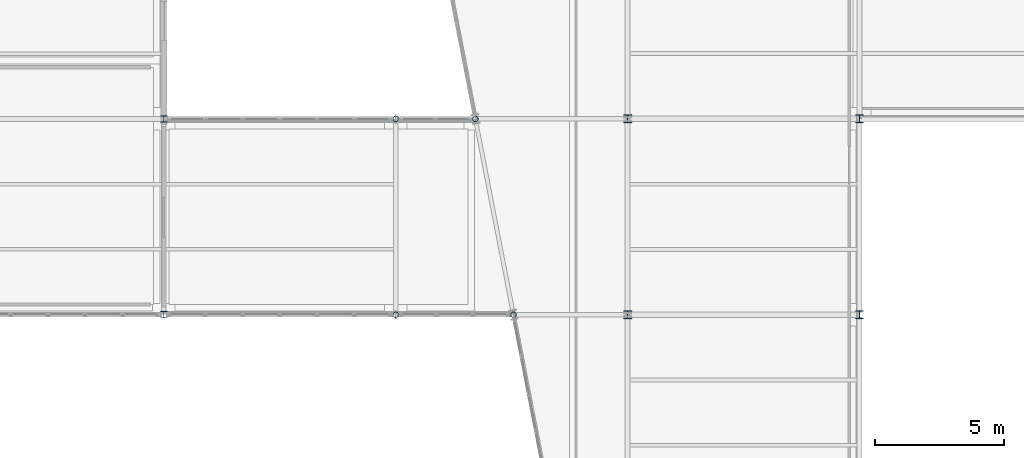
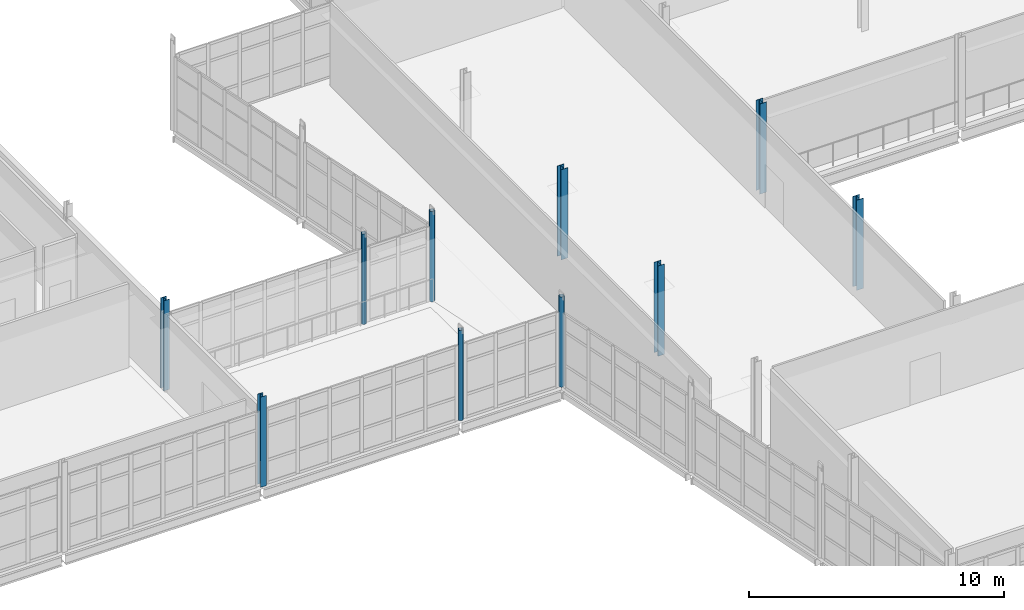
# One storey, part 15 of 166: 10 columns.
"""IFC4 building model written with IfcOpenShell, lengths in metres."""

from ifc_helpers import new_model, si_unit, direction, frame, origin, origin_2d, place, context, subcontext, project, spatial, hollow_circle, i_section, extrude, material, material_profile, profile_set, type_object, element, save


model = new_model("IFC4")

# Units and contexts
model_context = context("Model", 3, precision=1e-05, world=origin(), true_north=direction((0.0, 1.0)))
body_context = subcontext(model_context, "Body", "Model", "MODEL_VIEW")
ifc_project = project(units=[si_unit("LENGTHUNIT", "METRE"), si_unit("AREAUNIT", "SQUARE_METRE"), si_unit("VOLUMEUNIT", "CUBIC_METRE"), si_unit("PLANEANGLEUNIT", "RADIAN"), si_unit("MASSUNIT", "GRAM", prefix="KILO")], contexts=[model_context])

# Site, building, storey
site_placement = place(None, origin())
site = spatial("IfcSite", under=ifc_project, at=site_placement, CompositionType="ELEMENT")
building_placement = place(site_placement, origin())
building = spatial("IfcBuilding", under=site, at=building_placement, Name="Caisbarro Railhouse Central Library", CompositionType="ELEMENT")
storey_placement = place(building_placement, frame((0.0, 0.0, 9.360107421875)))
storey = spatial("IfcBuildingStorey", under=building, at=storey_placement, Name="L02", CompositionType="ELEMENT", Elevation=9.360107421875)

# Columns
ifc_material = material(Name="Steel ASTM A572 Grade 50", Category="steel")
ifc_material_profile_1 = material_profile(ifc_material, i_section(OverallWidth=0.305908203125, OverallDepth=0.31103515625, WebThickness=0.010986328125, FlangeThickness=0.01708984375, FilletRadius=0.014892578125, at=origin_2d()), Name="W310X107.0")
ifc_profile_set_1 = profile_set([ifc_material_profile_1], Name="Steel ASTM A572 Grade 50")
column_type_1 = type_object("IfcColumnType", Name="COL-C06", PredefinedType="COLUMN", material=ifc_profile_set_1)
for number, where, z_axis, x_axis, name in (
    (1, (117.0, 83.60009765625, 0.0), (0.0, 0.0, 1.0), (1.0, 0.0, 0.0), "C06 column L02 (117.0,83.6)"),
    (2, (117.0, 91.199951171875, 0.0), (0.0, 0.0, 1.0), (1.0, 0.0, 0.0), "C06 column L02 (117.0,91.2)"),
    (3, (126.0, 83.60009765625, 0.0), (0.0, 0.0, 1.0), (1.0, 0.0, 0.0), "C06 column L02 (126.0,83.6)"),
    (4, (126.0, 91.199951171875, 0.0), (0.0, 0.0, 1.0), (1.0, 0.0, 0.0), "C06 column L02 (126.0,91.2)"),
):
    element("IfcColumn", number, at=place(storey_placement, frame(where, z_axis=z_axis, x_axis=x_axis)), inside=storey, type_object=column_type_1, Name=name, PredefinedType="COLUMN", context=body_context, shape_type="SweptSolid", body=[
        extrude(i_section(OverallWidth=0.305908203125, OverallDepth=0.31103515625, WebThickness=0.010986328125, FlangeThickness=0.01708984375, FilletRadius=0.014892578125, at=origin_2d()), origin(), (0.0, 0.0, 1.0), 4.31982421875),
    ])
ifc_material_profile_2 = material_profile(ifc_material, i_section(OverallWidth=0.25390625, OverallDepth=0.2529296875, WebThickness=0.008544921875, FlangeThickness=0.01416015625, FilletRadius=0.011962890625, at=origin_2d()), Name="W250X73.0")
ifc_profile_set_2 = profile_set([ifc_material_profile_2], Name="Steel ASTM A572 Grade 50")
column_type_2 = type_object("IfcColumnType", Name="COL-C08", PredefinedType="COLUMN", material=ifc_profile_set_2)
for number, where, z_axis, x_axis, name in (
    (5, (99.0, 83.60009765625, 0.0), (0.0, 0.0, 1.0), (1.0, 0.0, 0.0), "C08 column L02 (99.0,83.6)"),
    (6, (99.0, 91.199951171875, 0.0), (0.0, 0.0, 1.0), (1.0, 0.0, 0.0), "C08 column L02 (99.0,91.2)"),
):
    element("IfcColumn", number, at=place(storey_placement, frame(where, z_axis=z_axis, x_axis=x_axis)), inside=storey, type_object=column_type_2, Name=name, PredefinedType="COLUMN", context=body_context, shape_type="SweptSolid", body=[
        extrude(i_section(OverallWidth=0.25390625, OverallDepth=0.2529296875, WebThickness=0.008544921875, FlangeThickness=0.01416015625, FilletRadius=0.011962890625, at=origin_2d()), origin(), (0.0, 0.0, 1.0), 4.31982421875),
    ])
ifc_material_profile_3 = material_profile(ifc_material, hollow_circle(Radius=0.109619140625, WallThickness=0.010009765625, at=origin_2d()), Name="CHS219.1X10")
ifc_profile_set_3 = profile_set([ifc_material_profile_3], Name="Steel ASTM A572 Grade 50")
column_type_3 = type_object("IfcColumnType", Name="COL-C13", PredefinedType="COLUMN", material=ifc_profile_set_3)
for number, where, z_axis, x_axis, name in (
    (7, (108.0, 83.60009765625, 0.0), (0.0, 0.0, 1.0), (1.0, 0.0, 0.0), "C13 column L02 (108.0,83.6)"),
    (8, (108.0, 91.199951171875, 0.0), (0.0, 0.0, 1.0), (1.0, 0.0, 0.0), "C13 column L02 (108.0,91.2)"),
    (9, (111.091064453125, 91.199951171875, 0.0), (0.0, 0.0, 1.0), (0.981627183448, 0.190808995377, 0.0), "C13 column L02 (111.1,91.2)"),
    (10, (112.568115234375, 83.60009765625, 0.0), (0.0, 0.0, 1.0), (0.981627183448, 0.190808995377, 0.0), "C13 column L02 (112.6,83.6)"),
):
    element("IfcColumn", number, at=place(storey_placement, frame(where, z_axis=z_axis, x_axis=x_axis)), inside=storey, type_object=column_type_3, Name=name, PredefinedType="COLUMN", context=body_context, shape_type="SweptSolid", body=[
        extrude(hollow_circle(Radius=0.109619140625, WallThickness=0.010009765625, at=origin_2d()), origin(), (0.0, 0.0, 1.0), 4.31982421875),
    ])

save(model, "model.ifc")
